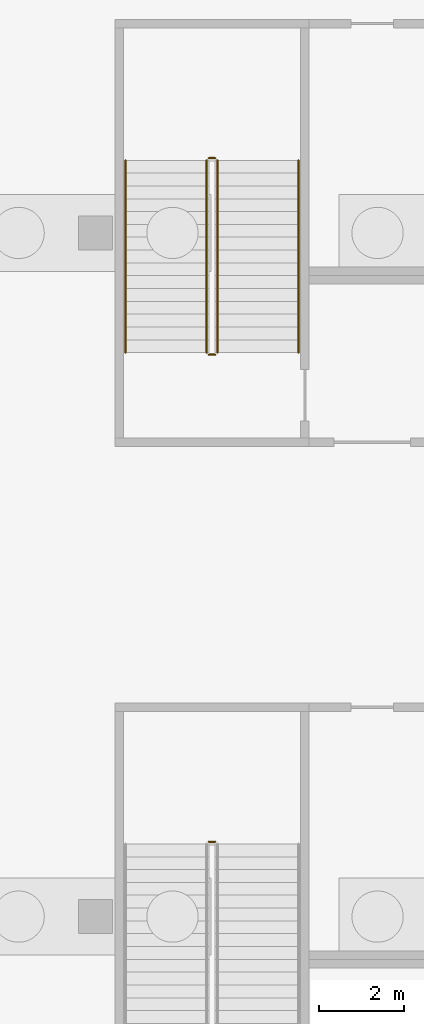
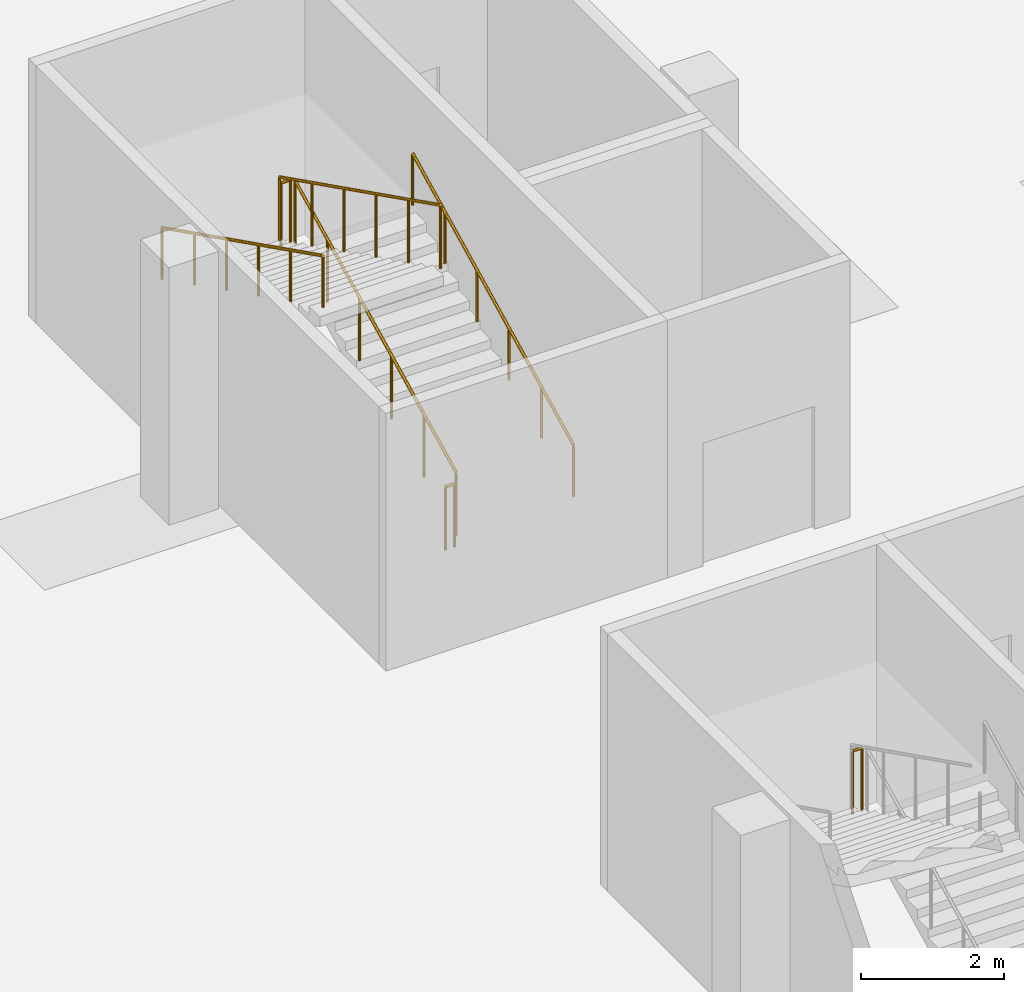
# One storey, part 34 of 46: 7 railings.
"""IFC4 building model written with IfcOpenShell, lengths in metres."""

from ifc_helpers import new_model, si_unit, direction, frame, origin, origin_2d, place, context, subcontext, project, spatial, circle, extrude, material, type_object, element, save


model = new_model("IFC4")

# Units and contexts
model_context = context("Model", 3, precision=1e-05, world=origin(), true_north=direction((0.0, 1.0)))
body_context = subcontext(model_context, "Body", "Model", "MODEL_VIEW")
ifc_project = project(units=[si_unit("LENGTHUNIT", "METRE"), si_unit("AREAUNIT", "SQUARE_METRE"), si_unit("VOLUMEUNIT", "CUBIC_METRE"), si_unit("PLANEANGLEUNIT", "RADIAN"), si_unit("MASSUNIT", "GRAM", prefix="KILO")], contexts=[model_context])

# Site, building, storey
site_placement = place(None, origin())
site = spatial("IfcSite", under=ifc_project, at=site_placement, CompositionType="ELEMENT")
building_placement = place(site_placement, origin())
building = spatial("IfcBuilding", under=site, at=building_placement, Name="Tamra Quay Hotel Tower", CompositionType="ELEMENT")
storey_placement = place(building_placement, frame((0.0, 0.0, -12.0)))
storey = spatial("IfcBuildingStorey", under=building, at=storey_placement, Name="B3", CompositionType="ELEMENT", Elevation=-12.0)

# Railings
ifc_material_1 = material(Name="Basement stair guard 1100")
railing_type_1 = type_object("IfcRailingType", Name="Basement stair guard 1100", PredefinedType="GUARDRAIL", material=ifc_material_1)
railing_1_placement = place(storey_placement, frame((-94.699951171875, -14.25, 2.39990234375)))
element("IfcRailing", 1, at=railing_1_placement, inside=storey, type_object=railing_type_1, Name="BSG", PredefinedType="GUARDRAIL", context=body_context, shape_type="SweptSolid", body=[
    extrude(circle(Radius=0.02392578125, at=origin_2d()), frame((0.0, 0.0, 1.076171875), z_axis=(-1.0, 0.0, 0.0), x_axis=(0.0, -1.0, 0.0)), (0.0, 0.0, 1.0), 0.150146484375),
    extrude(circle(Radius=0.02099609375, at=origin_2d()), origin(), (0.0, 0.0, 1.0), 1.052001953125),
    extrude(circle(Radius=0.02099609375, at=origin_2d()), frame((-0.150146484375, 0.0, 0.0)), (0.0, 0.0, 1.0), 1.052001953125),
])
railing_2_placement = place(storey_placement, frame((-94.64990234375, -2.800048828125, 0.14990234375)))
element("IfcRailing", 2, at=railing_2_placement, inside=storey, type_object=railing_type_1, Name="BSG", PredefinedType="GUARDRAIL", context=body_context, shape_type="SweptSolid", body=[
    extrude(circle(Radius=0.02392578125, at=origin_2d()), frame((0.0, 0.0, 1.076171875), z_axis=(0.0, 0.894427191, 0.4472135955), x_axis=(-1.0, 0.0, 0.0)), (0.0, 0.0, 1.0), 5.03125),
    extrude(circle(Radius=0.02099609375, at=origin_2d()), origin(), (0.0, 0.0, 1.0), 1.052001953125),
    extrude(circle(Radius=0.02099609375, at=origin_2d()), frame((0.0, 0.89990234375, 0.449951171875)), (0.0, 0.0, 1.0), 1.052001953125),
    extrude(circle(Radius=0.02099609375, at=origin_2d()), frame((0.0, 1.800048828125, 0.89990234375)), (0.0, 0.0, 1.0), 1.052001953125),
    extrude(circle(Radius=0.02099609375, at=origin_2d()), frame((0.0, 2.699951171875, 1.35009765625)), (0.0, 0.0, 1.0), 1.052001953125),
    extrude(circle(Radius=0.02099609375, at=origin_2d()), frame((0.0, 3.60009765625, 1.800048828125)), (0.0, 0.0, 1.0), 1.052001953125),
    extrude(circle(Radius=0.02099609375, at=origin_2d()), frame((0.0, 4.5, 2.25)), (0.0, 0.0, 1.0), 1.052001953125),
])
railing_3_placement = place(storey_placement, frame((-94.699951171875, 1.75, 2.39990234375)))
element("IfcRailing", 3, at=railing_3_placement, inside=storey, type_object=railing_type_1, Name="BSG", PredefinedType="GUARDRAIL", context=body_context, shape_type="SweptSolid", body=[
    extrude(circle(Radius=0.02392578125, at=origin_2d()), frame((0.0, 0.0, 1.076171875), z_axis=(-1.0, 0.0, 0.0), x_axis=(0.0, -1.0, 0.0)), (0.0, 0.0, 1.0), 0.150146484375),
    extrude(circle(Radius=0.02099609375, at=origin_2d()), origin(), (0.0, 0.0, 1.0), 1.052001953125),
    extrude(circle(Radius=0.02099609375, at=origin_2d()), frame((-0.150146484375, 0.0, 0.0)), (0.0, 0.0, 1.0), 1.052001953125),
])
railing_4_placement = place(storey_placement, frame((-94.89990234375, 1.699951171875, 2.550048828125)))
element("IfcRailing", 4, at=railing_4_placement, inside=storey, type_object=railing_type_1, Name="BSG", PredefinedType="GUARDRAIL", context=body_context, shape_type="SweptSolid", body=[
    extrude(circle(Radius=0.02392578125, at=origin_2d()), frame((0.0, 0.0, 1.076171875), z_axis=(0.0, -0.894427191, 0.4472135955), x_axis=(1.0, 0.0, 0.0)), (0.0, 0.0, 1.0), 5.03125),
    extrude(circle(Radius=0.02099609375, at=origin_2d()), origin(), (0.0, 0.0, 1.0), 1.052001953125),
    extrude(circle(Radius=0.02099609375, at=origin_2d()), frame((0.0, -0.89990234375, 0.449951171875)), (0.0, 0.0, 1.0), 1.052001953125),
    extrude(circle(Radius=0.02099609375, at=origin_2d()), frame((0.0, -1.800048828125, 0.89990234375)), (0.0, 0.0, 1.0), 1.052001953125),
    extrude(circle(Radius=0.02099609375, at=origin_2d()), frame((0.0, -2.699951171875, 1.35009765625)), (0.0, 0.0, 1.0), 1.052001953125),
    extrude(circle(Radius=0.02099609375, at=origin_2d()), frame((0.0, -3.60009765625, 1.800048828125)), (0.0, 0.0, 1.0), 1.052001953125),
    extrude(circle(Radius=0.02099609375, at=origin_2d()), frame((0.0, -4.5, 2.25)), (0.0, 0.0, 1.0), 1.052001953125),
])
railing_5_placement = place(storey_placement, frame((-94.699951171875, -2.85009765625, 0.0)))
element("IfcRailing", 5, at=railing_5_placement, inside=storey, type_object=railing_type_1, Name="BSG", PredefinedType="GUARDRAIL", context=body_context, shape_type="SweptSolid", body=[
    extrude(circle(Radius=0.02392578125, at=origin_2d()), frame((0.0, 0.0, 1.076171875), z_axis=(-1.0, 0.0, 0.0), x_axis=(0.0, -1.0, 0.0)), (0.0, 0.0, 1.0), 0.150146484375),
    extrude(circle(Radius=0.02099609375, at=origin_2d()), origin(), (0.0, 0.0, 1.0), 1.052001953125),
    extrude(circle(Radius=0.02099609375, at=origin_2d()), frame((-0.150146484375, 0.0, 0.0)), (0.0, 0.0, 1.0), 1.052001953125),
])
ifc_material_2 = material(Name="Basement stair handrail 900")
railing_type_2 = type_object("IfcRailingType", Name="Basement stair handrail 900", PredefinedType="HANDRAIL", material=ifc_material_2)
railing_6_placement = place(storey_placement, frame((-92.75, -2.800048828125, 0.14990234375)))
element("IfcRailing", 6, at=railing_6_placement, inside=storey, type_object=railing_type_2, Name="BSH", PredefinedType="HANDRAIL", context=body_context, shape_type="SweptSolid", body=[
    extrude(circle(Radius=0.02392578125, at=origin_2d()), frame((0.0, 0.0, 0.8759765625), z_axis=(0.0, 0.894427191, 0.4472135955), x_axis=(-1.0, 0.0, 0.0)), (0.0, 0.0, 1.0), 5.03125),
    extrude(circle(Radius=0.02099609375, at=origin_2d()), origin(), (0.0, 0.0, 1.0), 0.851806640625),
    extrude(circle(Radius=0.02099609375, at=origin_2d()), frame((0.0, 0.89990234375, 0.449951171875)), (0.0, 0.0, 1.0), 0.851806640625),
    extrude(circle(Radius=0.02099609375, at=origin_2d()), frame((0.0, 1.800048828125, 0.89990234375)), (0.0, 0.0, 1.0), 0.851806640625),
    extrude(circle(Radius=0.02099609375, at=origin_2d()), frame((0.0, 2.699951171875, 1.35009765625)), (0.0, 0.0, 1.0), 0.851806640625),
    extrude(circle(Radius=0.02099609375, at=origin_2d()), frame((0.0, 3.60009765625, 1.800048828125)), (0.0, 0.0, 1.0), 0.851806640625),
    extrude(circle(Radius=0.02099609375, at=origin_2d()), frame((0.0, 4.5, 2.25)), (0.0, 0.0, 1.0), 0.851806640625),
])
railing_7_placement = place(storey_placement, frame((-96.800048828125, 1.699951171875, 2.550048828125)))
element("IfcRailing", 7, at=railing_7_placement, inside=storey, type_object=railing_type_2, Name="BSH", PredefinedType="HANDRAIL", context=body_context, shape_type="SweptSolid", body=[
    extrude(circle(Radius=0.02392578125, at=origin_2d()), frame((0.0, 0.0, 0.8759765625), z_axis=(0.0, -0.894427191, 0.4472135955), x_axis=(1.0, 0.0, 0.0)), (0.0, 0.0, 1.0), 5.03125),
    extrude(circle(Radius=0.02099609375, at=origin_2d()), origin(), (0.0, 0.0, 1.0), 0.851806640625),
    extrude(circle(Radius=0.02099609375, at=origin_2d()), frame((0.0, -0.89990234375, 0.449951171875)), (0.0, 0.0, 1.0), 0.851806640625),
    extrude(circle(Radius=0.02099609375, at=origin_2d()), frame((0.0, -1.800048828125, 0.89990234375)), (0.0, 0.0, 1.0), 0.851806640625),
    extrude(circle(Radius=0.02099609375, at=origin_2d()), frame((0.0, -2.699951171875, 1.35009765625)), (0.0, 0.0, 1.0), 0.851806640625),
    extrude(circle(Radius=0.02099609375, at=origin_2d()), frame((0.0, -3.60009765625, 1.800048828125)), (0.0, 0.0, 1.0), 0.851806640625),
    extrude(circle(Radius=0.02099609375, at=origin_2d()), frame((0.0, -4.5, 2.25)), (0.0, 0.0, 1.0), 0.851806640625),
])

save(model, "model.ifc")
